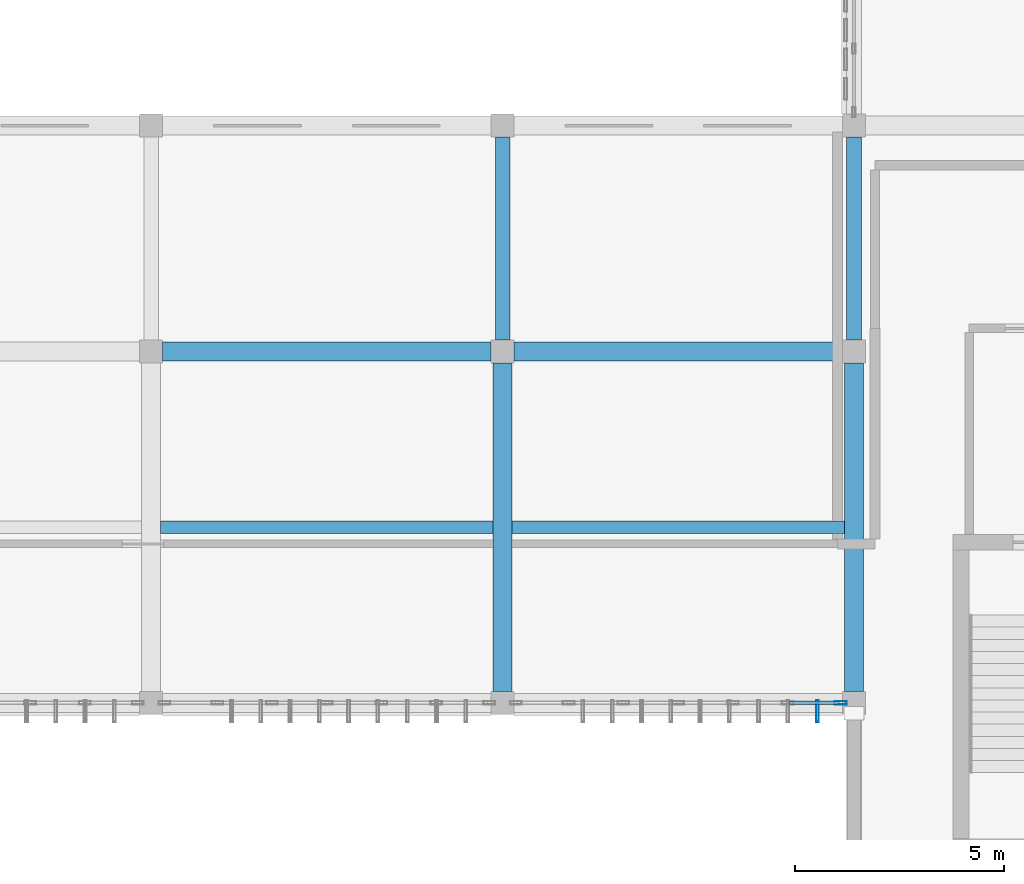
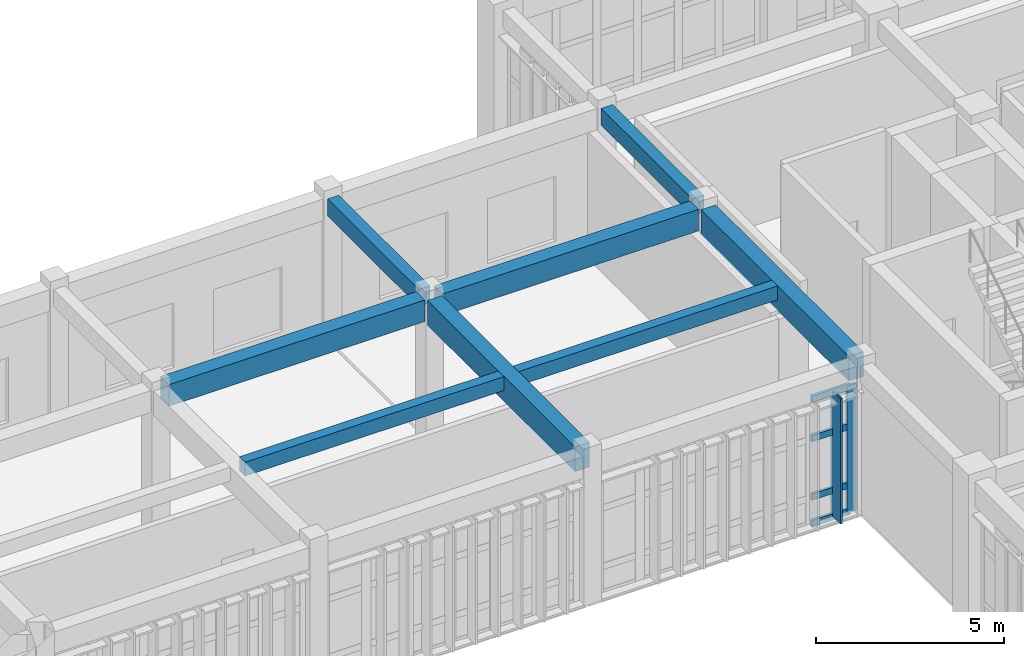
# One storey, part 51 of 106: 8 beams, 6 members, 1 element without a shape of its own.
"""IFC4 building model written with IfcOpenShell, lengths in metres."""

from ifc_helpers import new_model, si_unit, direction, frame, origin, origin_2d, place, context, subcontext, project, spatial, rectangle, hollow_rectangle, extrude, material, layer, layer_set, material_profile, profile_set, type_object, element, aggregate, save


model = new_model("IFC4")

# Units and contexts
model_context = context("Model", 3, precision=1e-05, world=origin(), true_north=direction((0.0, 1.0)))
body_context = subcontext(model_context, "Body", "Model", "MODEL_VIEW")
ifc_project = project(units=[si_unit("LENGTHUNIT", "METRE"), si_unit("AREAUNIT", "SQUARE_METRE"), si_unit("VOLUMEUNIT", "CUBIC_METRE"), si_unit("PLANEANGLEUNIT", "RADIAN"), si_unit("MASSUNIT", "GRAM", prefix="KILO")], contexts=[model_context])

# Site, building, storey
site_placement = place(None, origin())
site = spatial("IfcSite", under=ifc_project, at=site_placement, CompositionType="ELEMENT")
building_placement = place(site_placement, origin())
building = spatial("IfcBuilding", under=site, at=building_placement, Name="Krzemoval Escarpment Law Courts", CompositionType="ELEMENT")
storey_placement = place(building_placement, frame((0.0, 0.0, 5.10009765625)))
storey = spatial("IfcBuildingStorey", under=building, at=storey_placement, Name="L01", CompositionType="ELEMENT", Elevation=5.10009765625)

# Beams
ifc_material_1 = material(Name="Concrete C40/50", Category="concrete")
ifc_material_profile_1 = material_profile(ifc_material_1, rectangle(XDim=0.35009765625, YDim=0.550048828125, at=origin_2d()), Name="RCB 350x550")
ifc_profile_set_1 = profile_set([ifc_material_profile_1], Name="Concrete C40/50")
beam_type_1 = type_object("IfcBeamType", Name="BM-RC-350x550", PredefinedType="BEAM", material=ifc_profile_set_1)
for number, where, z_axis, x_axis, name in (
    (1, (117.60009765625, 108.27490234375, 4.544921875), (0.0, 1.0, 0.0), (-1.0, 0.0, 0.0), "Beam FG-L01-1507"),
    (2, (126.0, 108.27490234375, 4.544921875), (0.0, 1.0, 0.0), (-1.0, 0.0, 0.0), "Beam FG-L01-1518"),
):
    element("IfcBeam", number, at=place(storey_placement, frame(where, z_axis=z_axis, x_axis=x_axis)), inside=storey, type_object=beam_type_1, Name=name, PredefinedType="BEAM", context=body_context, shape_type="SweptSolid", body=[
        extrude(rectangle(XDim=0.35009765625, YDim=0.550048828125, at=origin_2d()), origin(), (0.0, 0.0, 1.0), 4.85009765625),
    ])
ifc_material_2 = material(Name="Concrete C40/50", Category="concrete")
ifc_material_profile_2 = material_profile(ifc_material_2, rectangle(XDim=0.449951171875, YDim=0.699951171875, at=origin_2d()), Name="RCB 450x700")
ifc_profile_set_2 = profile_set([ifc_material_profile_2], Name="Concrete C40/50")
beam_type_2 = type_object("IfcBeamType", Name="BM-RC-450x700", PredefinedType="BEAM", material=ifc_profile_set_2)
beam_1_placement = place(storey_placement, frame((109.47509765625, 108.0, 4.469970703125), z_axis=(1.0, 0.0, 0.0), x_axis=(0.0, 1.0, 0.0)))
element("IfcBeam", 3, at=beam_1_placement, inside=storey, type_object=beam_type_2, Name="Beam FG-L01-1331", PredefinedType="BEAM", context=body_context, shape_type="SweptSolid", body=[
    extrude(rectangle(XDim=0.449951171875, YDim=0.699951171875, at=origin_2d()), origin(), (0.0, 0.0, 1.0), 7.849853515625),
])
beam_2_placement = place(storey_placement, frame((117.875, 108.0, 4.469970703125), z_axis=(1.0, 0.0, 0.0), x_axis=(0.0, 1.0, 0.0)))
element("IfcBeam", 4, at=beam_2_placement, inside=storey, type_object=beam_type_2, Name="Beam FG-L01-1332", PredefinedType="BEAM", context=body_context, shape_type="SweptSolid", body=[
    extrude(rectangle(XDim=0.449951171875, YDim=0.699951171875, at=origin_2d()), origin(), (0.0, 0.0, 1.0), 7.85009765625),
])
ifc_material_3 = material(Name="Concrete C40/50", Category="concrete")
ifc_material_profile_3 = material_profile(ifc_material_3, rectangle(XDim=0.449951171875, YDim=0.800048828125, at=origin_2d()), Name="RCB 450x800")
ifc_profile_set_3 = profile_set([ifc_material_profile_3], Name="Concrete C40/50")
beam_type_3 = type_object("IfcBeamType", Name="BM-RC-450x800", PredefinedType="BEAM", material=ifc_profile_set_3)
for number, where, z_axis, x_axis, name in (
    (5, (117.60009765625, 99.875, 4.419921875), (0.0, 1.0, 0.0), (-1.0, 0.0, 0.0), "Beam FG-L01-1506"),
    (6, (126.0, 99.875, 4.419921875), (0.0, 1.0, 0.0), (-1.0, 0.0, 0.0), "Beam FG-L01-1517"),
):
    element("IfcBeam", number, at=place(storey_placement, frame(where, z_axis=z_axis, x_axis=x_axis)), inside=storey, type_object=beam_type_3, Name=name, PredefinedType="BEAM", context=body_context, shape_type="SweptSolid", body=[
        extrude(rectangle(XDim=0.449951171875, YDim=0.800048828125, at=origin_2d()), origin(), (0.0, 0.0, 1.0), 7.85009765625),
    ])

# Curtain wall, members
ifc_material_4 = material(Name="Aluminium 6063-T6", Category="aluminium")
ifc_layer = layer(ifc_material_4, 0.280029296875)
ifc_layer_set = layer_set([ifc_layer], Name="Aluminium 6063-T6")
curtain_wall_type = type_object("IfcCurtainWallType", Name="CW-HALL-5100", PredefinedType="USERDEFINED", material=ifc_layer_set)
curtain_wall_placement = place(storey_placement, origin())
curtain_wall = element("IfcCurtainWall", 7, at=curtain_wall_placement, inside=storey, type_object=curtain_wall_type, Name="Unitised Curtain Wall FCW-L01-046", ObjectType="UNITISED_CURTAIN_WALL", PredefinedType="USERDEFINED")
ifc_material_5 = material(Name="Aluminium 6063-T6", Category="aluminium")
ifc_material_profile_4 = material_profile(ifc_material_5, hollow_rectangle(XDim=0.0849609375, YDim=0.280029296875, WallThickness=0.005615234375, at=origin_2d()), Name="ALU M85x280")
ifc_profile_set_4 = profile_set([ifc_material_profile_4], Name="Aluminium 6063-T6")
member_type_1 = type_object("IfcMemberType", Name="CWM-85x280", PredefinedType="MULLION", material=ifc_profile_set_4)
member_1_placement = place(storey_placement, frame((125.6826171875, 99.60009765625, 0.0), z_axis=(0.0, 0.0, 1.0), x_axis=(0.0, -1.0, 0.0)))
member_1 = element("IfcMember", 8, at=member_1_placement, type_object=member_type_1, Name="FCW-L01-046 mullion 1", PredefinedType="MULLION", context=body_context, shape_type="SweptSolid", body=[
    extrude(hollow_rectangle(XDim=0.0849609375, YDim=0.280029296875, WallThickness=0.005615234375, at=origin_2d()), origin(), (0.0, 0.0, 1.0), 4.119873046875),
])
ifc_material_6 = material(Name="Aluminium 6063-T6", Category="aluminium")
ifc_material_profile_5 = material_profile(ifc_material_6, hollow_rectangle(XDim=0.0849609375, YDim=0.2099609375, WallThickness=0.005615234375, at=origin_2d()), Name="ALU T85x210")
ifc_profile_set_5 = profile_set([ifc_material_profile_5], Name="Aluminium 6063-T6")
member_type_2 = type_object("IfcMemberType", Name="CWT-85x210", PredefinedType="USERDEFINED", material=ifc_profile_set_5)
member_2_placement = place(storey_placement, frame((125.639892578125, 99.60009765625, 0.04248046875), z_axis=(-1.0, 0.0, 0.0), x_axis=(0.0, -1.0, 0.0)))
member_2 = element("IfcMember", 9, at=member_2_placement, type_object=member_type_2, Name="FCW-L01-046 transom 1.1", ObjectType="TRANSOM", PredefinedType="USERDEFINED", context=body_context, shape_type="SweptSolid", body=[
    extrude(hollow_rectangle(XDim=0.0849609375, YDim=0.2099609375, WallThickness=0.005615234375, at=origin_2d()), origin(), (0.0, 0.0, 1.0), 1.1806640625),
])
member_3_placement = place(storey_placement, frame((125.639892578125, 99.60009765625, 0.89990234375), z_axis=(-1.0, 0.0, 0.0), x_axis=(0.0, -1.0, 0.0)))
member_3 = element("IfcMember", 10, at=member_3_placement, type_object=member_type_2, Name="FCW-L01-046 transom 1.2", ObjectType="TRANSOM", PredefinedType="USERDEFINED", context=body_context, shape_type="SweptSolid", body=[
    extrude(hollow_rectangle(XDim=0.0849609375, YDim=0.2099609375, WallThickness=0.005615234375, at=origin_2d()), origin(), (0.0, 0.0, 1.0), 1.1806640625),
])
member_4_placement = place(storey_placement, frame((125.639892578125, 99.60009765625, 2.7998046875), z_axis=(-1.0, 0.0, 0.0), x_axis=(0.0, -1.0, 0.0)))
member_4 = element("IfcMember", 11, at=member_4_placement, type_object=member_type_2, Name="FCW-L01-046 transom 1.3", ObjectType="TRANSOM", PredefinedType="USERDEFINED", context=body_context, shape_type="SweptSolid", body=[
    extrude(hollow_rectangle(XDim=0.0849609375, YDim=0.2099609375, WallThickness=0.005615234375, at=origin_2d()), origin(), (0.0, 0.0, 1.0), 1.1806640625),
])
member_5_placement = place(storey_placement, frame((125.639892578125, 99.60009765625, 4.077392578125), z_axis=(-1.0, 0.0, 0.0), x_axis=(0.0, -1.0, 0.0)))
member_5 = element("IfcMember", 12, at=member_5_placement, type_object=member_type_2, Name="FCW-L01-046 transom 1.4", ObjectType="TRANSOM", PredefinedType="USERDEFINED", context=body_context, shape_type="SweptSolid", body=[
    extrude(hollow_rectangle(XDim=0.0849609375, YDim=0.2099609375, WallThickness=0.005615234375, at=origin_2d()), origin(), (0.0, 0.0, 1.0), 1.1806640625),
])
aggregate(curtain_wall, [member_1, member_2, member_3, member_4, member_5])

# Beams
ifc_material_7 = material(Name="Concrete C40/50", Category="concrete")
ifc_material_profile_6 = material_profile(ifc_material_7, rectangle(XDim=0.300048828125, YDim=0.449951171875, at=origin_2d()), Name="RCB 300x450")
ifc_profile_set_6 = profile_set([ifc_material_profile_6], Name="Concrete C40/50")
beam_type_4 = type_object("IfcBeamType", Name="JST-RC-300x450", PredefinedType="JOIST", material=ifc_profile_set_6)
for number, where, z_axis, x_axis, name in (
    (13, (109.425048828125, 103.800048828125, 4.594970703125), (1.0, 0.0, 0.0), (0.0, 1.0, 0.0), "Secondary Joist FJ-L01-1675"),
    (14, (117.824951171875, 103.800048828125, 4.594970703125), (1.0, 0.0, 0.0), (0.0, 1.0, 0.0), "Secondary Joist FJ-L01-1680"),
):
    element("IfcBeam", number, at=place(storey_placement, frame(where, z_axis=z_axis, x_axis=x_axis)), inside=storey, type_object=beam_type_4, Name=name, PredefinedType="JOIST", context=body_context, shape_type="SweptSolid", body=[
        extrude(rectangle(XDim=0.300048828125, YDim=0.449951171875, at=origin_2d()), origin(), (0.0, 0.0, 1.0), 7.949951171875),
    ])

# Member
ifc_material_8 = material(Name="Anodised Aluminium Alloy 6063-T6", Category="aluminium")
ifc_material_profile_7 = material_profile(ifc_material_8, hollow_rectangle(XDim=0.06494140625, YDim=0.52001953125, WallThickness=0.00439453125, at=origin_2d()), Name="ALU LVR 65x520")
ifc_profile_set_7 = profile_set([ifc_material_profile_7], Name="Anodised Aluminium Alloy 6063-T6")
member_type_3 = type_object("IfcMemberType", Name="LVR-ALU-520", PredefinedType="USERDEFINED", material=ifc_profile_set_7)
member_6_placement = place(storey_placement, frame((125.125, 99.39990234375, 0.059814453125), z_axis=(0.0, 0.0, 1.0), x_axis=(1.0, 0.0, 0.0)))
element("IfcMember", 15, at=member_6_placement, inside=storey, type_object=member_type_3, Name="Sunshade Louvre Fin FLV-L01-0182", ObjectType="SUNSHADE_LOUVRE", PredefinedType="USERDEFINED", context=body_context, shape_type="SweptSolid", body=[
    extrude(hollow_rectangle(XDim=0.06494140625, YDim=0.52001953125, WallThickness=0.00439453125, at=origin_2d()), origin(), (0.0, 0.0, 1.0), 4.06005859375),
])

save(model, "model.ifc")
